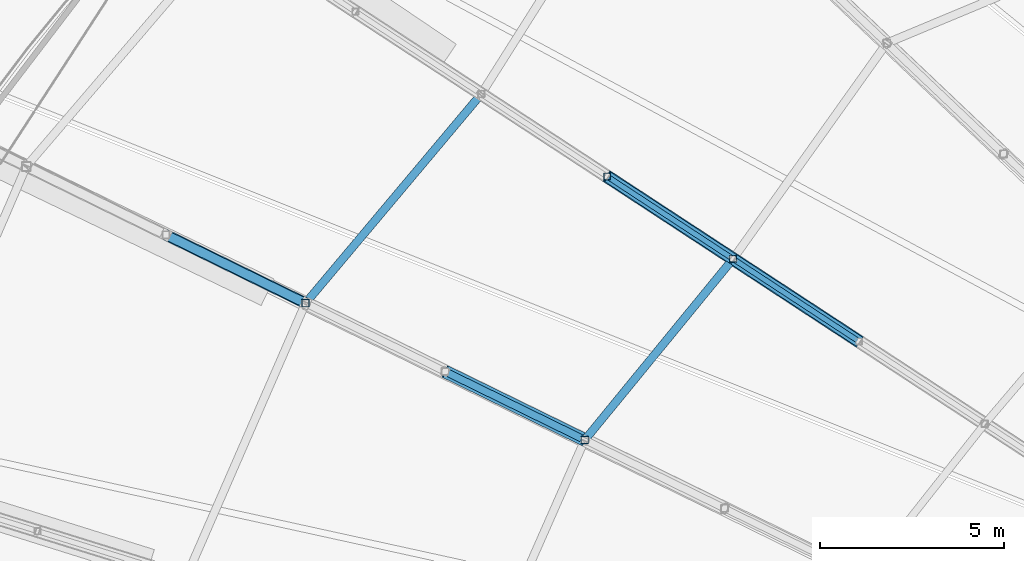
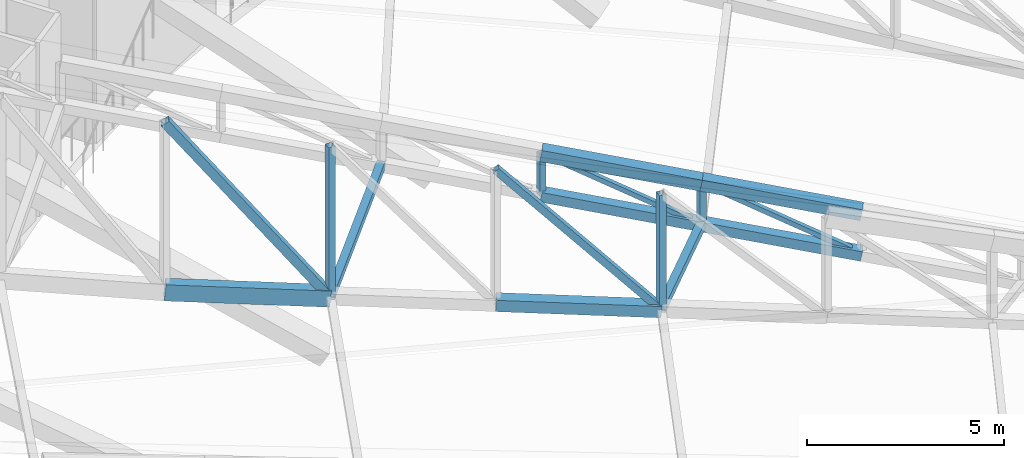
# One storey, part 133 of 344: 16 members.
"""IFC4 building model written with IfcOpenShell, lengths in metres."""

from ifc_helpers import new_model, si_unit, direction, frame, origin, origin_2d, place, context, subcontext, project, spatial, hollow_rectangle, extrude, material, material_profile, profile_set, type_object, element, save


model = new_model("IFC4")

# Units and contexts
model_context = context("Model", 3, precision=1e-05, world=origin(), true_north=direction((0.0, 1.0)))
body_context = subcontext(model_context, "Body", "Model", "MODEL_VIEW")
ifc_project = project(units=[si_unit("LENGTHUNIT", "METRE"), si_unit("AREAUNIT", "SQUARE_METRE"), si_unit("VOLUMEUNIT", "CUBIC_METRE"), si_unit("PLANEANGLEUNIT", "RADIAN"), si_unit("MASSUNIT", "GRAM", prefix="KILO")], contexts=[model_context])

# Site, building, storey
site_placement = place(None, origin())
site = spatial("IfcSite", under=ifc_project, at=site_placement, CompositionType="ELEMENT")
building_placement = place(site_placement, origin())
building = spatial("IfcBuilding", under=site, at=building_placement, Name="Meseta Stadium", CompositionType="ELEMENT")
storey_placement = place(building_placement, frame((0.0, 0.0, 24.0)))
storey = spatial("IfcBuildingStorey", under=building, at=storey_placement, Name="L04", CompositionType="ELEMENT", Elevation=24.0)

# Members
ifc_material_1 = material(Name="Steel S355", Category="steel")
ifc_material_profile_1 = material_profile(ifc_material_1, hollow_rectangle(XDim=0.300048828125, YDim=0.5, WallThickness=0.01611328125, at=origin_2d()), Name="RHS 500x300x16")
ifc_profile_set_1 = profile_set([ifc_material_profile_1], Name="Steel S355")
member_type_1 = type_object("IfcMemberType", Name="RHS 500x300x16 bottom chord", PredefinedType="CHORD", material=ifc_profile_set_1)
member_1_placement = place(storey_placement, frame((-66.834716796875, 66.708251953125, 5.253173828125), z_axis=(-0.894195676329, 0.437818122818, 0.093431171286), x_axis=(-0.439741666741, -0.89812430461, 0.0)))
element("IfcMember", 1, at=member_1_placement, inside=storey, type_object=member_type_1, Name="ROOF TRUSS RT-26 bottom chord", PredefinedType="CHORD", context=body_context, shape_type="SweptSolid", body=[
    extrude(hollow_rectangle(XDim=0.300048828125, YDim=0.5, WallThickness=0.01611328125, at=origin_2d()), origin(), (0.0, 0.0, 1.0), 4.23583984375),
])
ifc_material_2 = material(Name="Steel S355", Category="steel")
ifc_material_profile_2 = material_profile(ifc_material_2, hollow_rectangle(XDim=0.139892578125, YDim=0.139892578125, WallThickness=0.0048828125, at=origin_2d()), Name="SHS 140x140x5")
ifc_profile_set_2 = profile_set([ifc_material_profile_2], Name="Steel S355")
member_type_2 = type_object("IfcMemberType", Name="SHS 140x140x5 diagonal", PredefinedType="BRACE", material=ifc_profile_set_2)
member_2_placement = place(storey_placement, frame((-51.82373046875, 65.6728515625, 1.9462890625), z_axis=(-0.746894025117, 0.489171261981, 0.450400701261), x_axis=(-0.547890600116, -0.836549992711, 0.0)))
element("IfcMember", 2, at=member_2_placement, inside=storey, type_object=member_type_2, Name="ROOF TRUSS RT-25 diagonal", PredefinedType="BRACE", context=body_context, shape_type="SweptSolid", body=[
    extrude(hollow_rectangle(XDim=0.139892578125, YDim=0.139892578125, WallThickness=0.0048828125, at=origin_2d()), origin(), (0.0, 0.0, 1.0), 4.57177734375),
])
member_3_placement = place(storey_placement, frame((-55.23828125, 67.9091796875, 2.705322265625), z_axis=(-0.746899671396, 0.489139986415, 0.450425304084), x_axis=(-0.547863186454, -0.836567946391, 0.0)))
element("IfcMember", 3, at=member_3_placement, inside=storey, type_object=member_type_2, Name="ROOF TRUSS RT-25 diagonal", PredefinedType="BRACE", context=body_context, shape_type="SweptSolid", body=[
    extrude(hollow_rectangle(XDim=0.139892578125, YDim=0.139892578125, WallThickness=0.0048828125, at=origin_2d()), origin(), (0.0, 0.0, 1.0), 4.572021484375),
])
ifc_material_3 = material(Name="Steel S355", Category="steel")
ifc_material_profile_3 = material_profile(ifc_material_3, hollow_rectangle(XDim=0.179931640625, YDim=0.179931640625, WallThickness=0.00634765625, at=origin_2d()), Name="SHS 180x180x6.3")
ifc_profile_set_3 = profile_set([ifc_material_profile_3], Name="Steel S355")
member_type_3 = type_object("IfcMemberType", Name="SHS 180x180x6.3 post", PredefinedType="POST", material=ifc_profile_set_3)
for number, where, z_axis, x_axis, name in (
    (4, (-55.23828125, 67.9091796875, 2.705322265625), (0.0, 0.0, 1.0), (1.0, 0.0, 0.0), "ROOF TRUSS RT-25 post"),
    (5, (-58.653076171875, 70.1455078125, 3.464599609375), (0.0, 0.0, 1.0), (1.0, 0.0, 0.0), "ROOF TRUSS RT-25 post"),
):
    element("IfcMember", number, at=place(storey_placement, frame(where, z_axis=z_axis, x_axis=x_axis)), inside=storey, type_object=member_type_3, Name=name, PredefinedType="POST", context=body_context, shape_type="SweptSolid", body=[
        extrude(hollow_rectangle(XDim=0.179931640625, YDim=0.179931640625, WallThickness=0.00634765625, at=origin_2d()), origin(), (0.0, 0.0, 1.0), 1.300048828125),
    ])
ifc_material_4 = material(Name="Steel S355", Category="steel")
ifc_material_profile_4 = material_profile(ifc_material_4, hollow_rectangle(XDim=0.199951171875, YDim=0.199951171875, WallThickness=0.008056640625, at=origin_2d()), Name="SHS 200x200x8")
ifc_profile_set_4 = profile_set([ifc_material_profile_4], Name="Steel S355")
member_type_4 = type_object("IfcMemberType", Name="SHS 200x200x8 diagonal", PredefinedType="BRACE", material=ifc_profile_set_4)
member_4_placement = place(storey_placement, frame((-59.259033203125, 62.999267578125, 4.461669921875), z_axis=(-0.611816826738, 0.299539839891, 0.732090195836), x_axis=(-0.439718804076, -0.89813549832, 0.0)))
element("IfcMember", 6, at=member_4_placement, inside=storey, type_object=member_type_4, Name="ROOF TRUSS RT-26 diagonal", PredefinedType="BRACE", context=body_context, shape_type="SweptSolid", body=[
    extrude(hollow_rectangle(XDim=0.199951171875, YDim=0.199951171875, WallThickness=0.008056640625, at=origin_2d()), origin(), (0.0, 0.0, 1.0), 6.191162109375),
])
ifc_material_5 = material(Name="Steel S355", Category="steel")
ifc_material_profile_5 = material_profile(ifc_material_5, hollow_rectangle(XDim=0.199951171875, YDim=0.199951171875, WallThickness=0.008056640625, at=origin_2d()), Name="SHS 200x200x8")
ifc_profile_set_5 = profile_set([ifc_material_profile_5], Name="Steel S355")
member_type_5 = type_object("IfcMemberType", Name="SHS 200x200x8 post", PredefinedType="POST", material=ifc_profile_set_5)
member_5_placement = place(storey_placement, frame((-59.259033203125, 62.999267578125, 4.461669921875), z_axis=(0.0, 0.0, 1.0), x_axis=(1.0, 0.0, 0.0)))
element("IfcMember", 7, at=member_5_placement, inside=storey, type_object=member_type_5, Name="ROOF TRUSS RT-26 post", PredefinedType="POST", context=body_context, shape_type="SweptSolid", body=[
    extrude(hollow_rectangle(XDim=0.199951171875, YDim=0.199951171875, WallThickness=0.008056640625, at=origin_2d()), origin(), (0.0, 0.0, 1.0), 3.58935546875),
])
member_6_placement = place(storey_placement, frame((-66.834716796875, 66.708251953125, 5.253173828125), z_axis=(0.0, 0.0, 1.0), x_axis=(1.0, 0.0, 0.0)))
element("IfcMember", 8, at=member_6_placement, inside=storey, type_object=member_type_5, Name="ROOF TRUSS RT-26 post", PredefinedType="POST", context=body_context, shape_type="SweptSolid", body=[
    extrude(hollow_rectangle(XDim=0.199951171875, YDim=0.199951171875, WallThickness=0.008056640625, at=origin_2d()), origin(), (0.0, 0.0, 1.0), 4.68408203125),
])
ifc_material_6 = material(Name="Steel S355", Category="steel")
ifc_material_profile_6 = material_profile(ifc_material_6, hollow_rectangle(XDim=0.219970703125, YDim=0.219970703125, WallThickness=0.008056640625, at=origin_2d()), Name="SHS 220x220x8")
ifc_profile_set_6 = profile_set([ifc_material_profile_6], Name="Steel S355")
member_type_6 = type_object("IfcMemberType", Name="SHS 220x220x8 strut", PredefinedType="STRUT", material=ifc_profile_set_6)
member_7_placement = place(storey_placement, frame((-55.23828125, 67.9091796875, 2.705322265625), z_axis=(-0.610619200189, -0.745653211184, 0.266731102444), x_axis=(0.773682980495, -0.63357292058, 0.0)))
element("IfcMember", 9, at=member_7_placement, inside=storey, type_object=member_type_6, Name="ROOF TRUSS STRUT RT-25/26", PredefinedType="STRUT", context=body_context, shape_type="SweptSolid", body=[
    extrude(hollow_rectangle(XDim=0.219970703125, YDim=0.219970703125, WallThickness=0.008056640625, at=origin_2d()), origin(), (0.0, 0.0, 1.0), 6.584716796875),
])
member_8_placement = place(storey_placement, frame((-62.06787109375, 72.3818359375, 4.2236328125), z_axis=(-0.637153993948, -0.758351941888, 0.137612209602), x_axis=(0.765636062871, -0.643273984576, 0.0)))
element("IfcMember", 10, at=member_8_placement, inside=storey, type_object=member_type_6, Name="ROOF TRUSS STRUT RT-25/26", PredefinedType="STRUT", context=body_context, shape_type="SweptSolid", body=[
    extrude(hollow_rectangle(XDim=0.219970703125, YDim=0.219970703125, WallThickness=0.008056640625, at=origin_2d()), origin(), (0.0, 0.0, 1.0), 7.4814453125),
])
ifc_material_7 = material(Name="Steel S355", Category="steel")
ifc_material_profile_7 = material_profile(ifc_material_7, hollow_rectangle(XDim=0.25, YDim=0.25, WallThickness=0.010009765625, at=origin_2d()), Name="SHS 250x250x10")
ifc_profile_set_7 = profile_set([ifc_material_profile_7], Name="Steel S355")
member_type_7 = type_object("IfcMemberType", Name="SHS 250x250x10 diagonal", PredefinedType="BRACE", material=ifc_profile_set_7)
member_9_placement = place(storey_placement, frame((-66.834716796875, 66.708251953125, 5.253173828125), z_axis=(-0.53861568291, 0.263718236907, 0.800216119337), x_axis=(-0.439741666741, -0.89812430461, 0.0)))
element("IfcMember", 11, at=member_9_placement, inside=storey, type_object=member_type_7, Name="ROOF TRUSS RT-26 diagonal", PredefinedType="BRACE", context=body_context, shape_type="SweptSolid", body=[
    extrude(hollow_rectangle(XDim=0.25, YDim=0.25, WallThickness=0.010009765625, at=origin_2d()), origin(), (0.0, 0.0, 1.0), 7.031982421875),
])
ifc_material_8 = material(Name="Steel S355", Category="steel")
ifc_material_profile_8 = material_profile(ifc_material_8, hollow_rectangle(XDim=0.300048828125, YDim=0.300048828125, WallThickness=0.010009765625, at=origin_2d()), Name="SHS 300x300x10")
ifc_profile_set_8 = profile_set([ifc_material_profile_8], Name="Steel S355")
member_type_8 = type_object("IfcMemberType", Name="SHS 300x300x10 bottom chord", PredefinedType="CHORD", material=ifc_profile_set_8)
member_10_placement = place(storey_placement, frame((-51.82373046875, 65.6728515625, 1.9462890625), z_axis=(-0.822450255306, 0.538656108866, 0.182825528653), x_axis=(-0.547890600116, -0.836549992711, 0.0)))
element("IfcMember", 12, at=member_10_placement, inside=storey, type_object=member_type_8, Name="ROOF TRUSS RT-25 bottom chord", PredefinedType="CHORD", context=body_context, shape_type="SweptSolid", body=[
    extrude(hollow_rectangle(XDim=0.300048828125, YDim=0.300048828125, WallThickness=0.010009765625, at=origin_2d()), origin(), (0.0, 0.0, 1.0), 4.151611328125),
])
member_11_placement = place(storey_placement, frame((-55.23828125, 67.9091796875, 2.705322265625), z_axis=(-0.822460438995, 0.538624266904, 0.182873522934), x_axis=(-0.547863186454, -0.836567946391, 0.0)))
element("IfcMember", 13, at=member_11_placement, inside=storey, type_object=member_type_8, Name="ROOF TRUSS RT-25 bottom chord", PredefinedType="CHORD", context=body_context, shape_type="SweptSolid", body=[
    extrude(hollow_rectangle(XDim=0.300048828125, YDim=0.300048828125, WallThickness=0.010009765625, at=origin_2d()), origin(), (0.0, 0.0, 1.0), 4.15185546875),
])
ifc_material_9 = material(Name="Steel S355", Category="steel")
ifc_material_profile_9 = material_profile(ifc_material_9, hollow_rectangle(XDim=0.35009765625, YDim=0.35009765625, WallThickness=0.010009765625, at=origin_2d()), Name="SHS 350x350x10")
ifc_profile_set_9 = profile_set([ifc_material_profile_9], Name="Steel S355")
member_type_9 = type_object("IfcMemberType", Name="SHS 350x350x10 top chord", PredefinedType="CHORD", material=ifc_profile_set_9)
member_12_placement = place(storey_placement, frame((-51.82373046875, 65.6728515625, 3.246337890625), z_axis=(-0.822450255306, 0.538656108866, 0.182825528653), x_axis=(-0.547890600116, -0.836549992711, 0.0)))
element("IfcMember", 14, at=member_12_placement, inside=storey, type_object=member_type_9, Name="ROOF TRUSS RT-25 top chord", PredefinedType="CHORD", context=body_context, shape_type="SweptSolid", body=[
    extrude(hollow_rectangle(XDim=0.35009765625, YDim=0.35009765625, WallThickness=0.010009765625, at=origin_2d()), origin(), (0.0, 0.0, 1.0), 4.151611328125),
])
member_13_placement = place(storey_placement, frame((-55.23828125, 67.9091796875, 4.00537109375), z_axis=(-0.822460438995, 0.538624266904, 0.182873522934), x_axis=(-0.547863186454, -0.836567946391, 0.0)))
element("IfcMember", 15, at=member_13_placement, inside=storey, type_object=member_type_9, Name="ROOF TRUSS RT-25 top chord", PredefinedType="CHORD", context=body_context, shape_type="SweptSolid", body=[
    extrude(hollow_rectangle(XDim=0.35009765625, YDim=0.35009765625, WallThickness=0.010009765625, at=origin_2d()), origin(), (0.0, 0.0, 1.0), 4.15185546875),
])
ifc_material_10 = material(Name="Steel S355", Category="steel")
ifc_material_profile_10 = material_profile(ifc_material_10, hollow_rectangle(XDim=0.35009765625, YDim=0.35009765625, WallThickness=0.01416015625, at=origin_2d()), Name="SHS 350x350x14.2")
ifc_profile_set_10 = profile_set([ifc_material_profile_10], Name="Steel S355")
member_type_10 = type_object("IfcMemberType", Name="SHS 350x350x14.2 bottom chord", PredefinedType="CHORD", material=ifc_profile_set_10)
member_14_placement = place(storey_placement, frame((-59.259033203125, 62.999267578125, 4.461669921875), z_axis=(-0.8942072269, 0.437795558848, 0.093426356094), x_axis=(-0.439718804076, -0.89813549832, 0.0)))
element("IfcMember", 16, at=member_14_placement, inside=storey, type_object=member_type_10, Name="ROOF TRUSS RT-26 bottom chord", PredefinedType="CHORD", context=body_context, shape_type="SweptSolid", body=[
    extrude(hollow_rectangle(XDim=0.35009765625, YDim=0.35009765625, WallThickness=0.01416015625, at=origin_2d()), origin(), (0.0, 0.0, 1.0), 4.236083984375),
])

save(model, "model.ifc")
